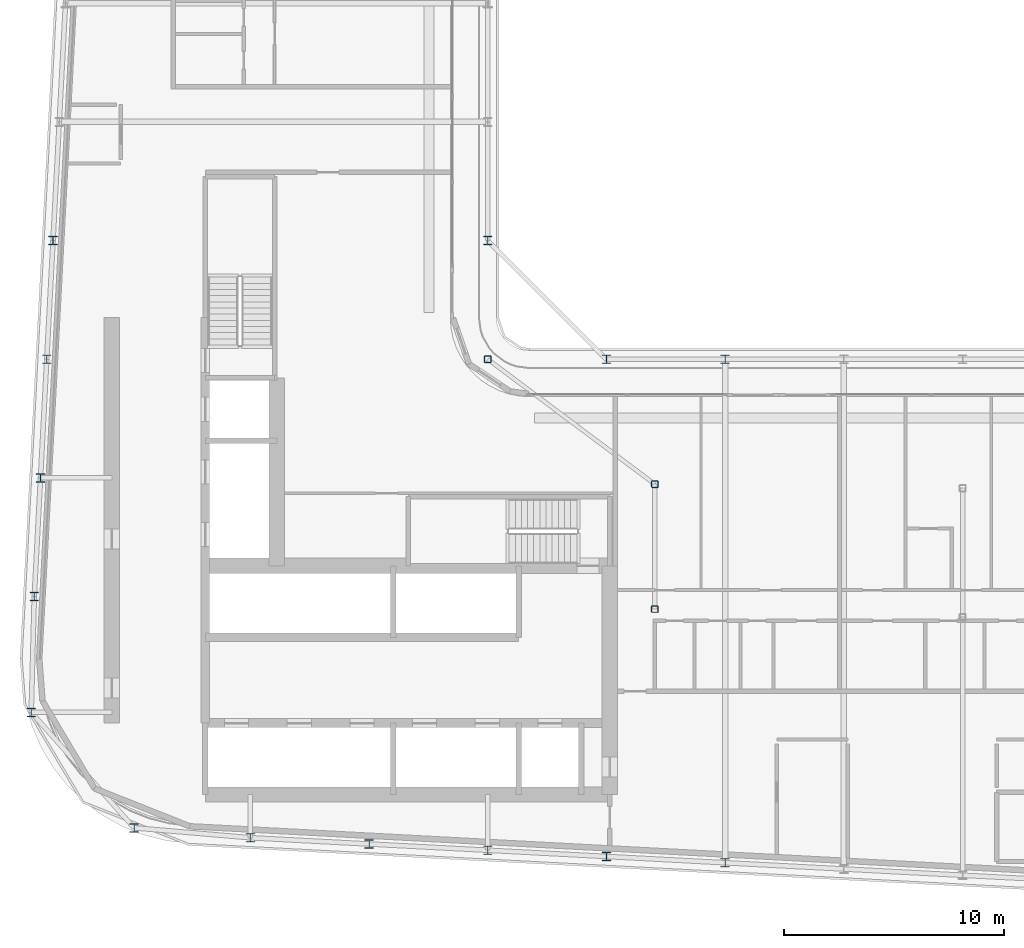
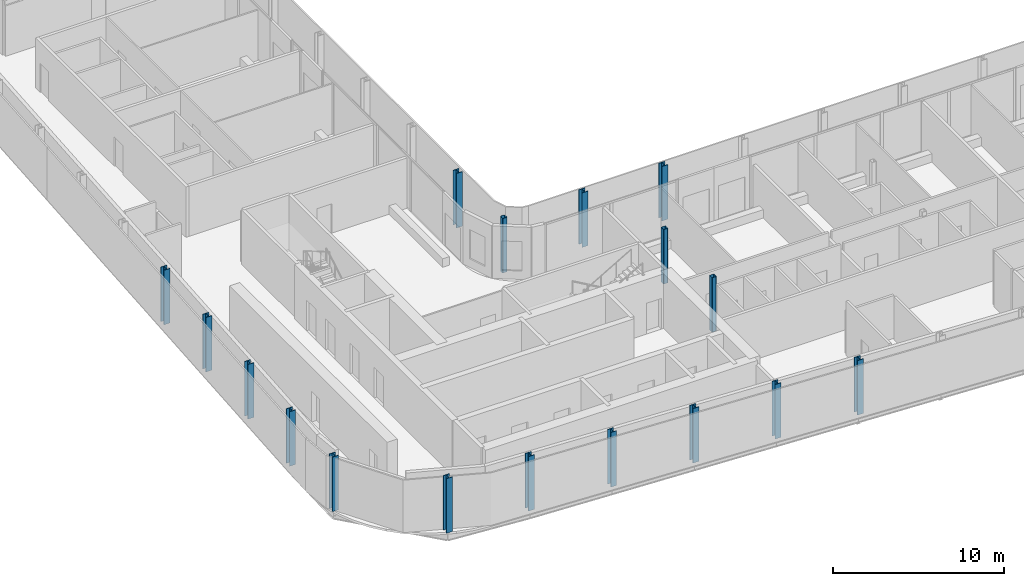
# One storey, part 1 of 22: 17 columns.
"""IFC4 building model written with IfcOpenShell, lengths in metres."""

from ifc_helpers import new_model, si_unit, direction, frame, origin, origin_2d, place, context, subcontext, project, spatial, hollow_rectangle, i_section, extrude, material, material_profile, profile_set, type_object, element, save


model = new_model("IFC4")

# Units and contexts
model_context = context("Model", 3, precision=1e-05, world=origin(), true_north=direction((0.0, 1.0)))
body_context = subcontext(model_context, "Body", "Model", "MODEL_VIEW")
ifc_project = project(units=[si_unit("LENGTHUNIT", "METRE"), si_unit("AREAUNIT", "SQUARE_METRE"), si_unit("VOLUMEUNIT", "CUBIC_METRE"), si_unit("PLANEANGLEUNIT", "RADIAN"), si_unit("MASSUNIT", "GRAM", prefix="KILO")], contexts=[model_context])

# Site, building, storey
site_placement = place(None, origin())
site = spatial("IfcSite", under=ifc_project, at=site_placement, CompositionType="ELEMENT")
building_placement = place(site_placement, origin())
building = spatial("IfcBuilding", under=site, at=building_placement, Name="Kheshtan School and Residences Tower", CompositionType="ELEMENT")
storey_placement = place(building_placement, frame((0.0, 0.0, 255.199951171875)))
storey = spatial("IfcBuildingStorey", under=building, at=storey_placement, Name="L60", CompositionType="ELEMENT", Elevation=255.199951171875)

# Columns
ifc_material_1 = material(Name="Steel ASTM A992 Grade 50", Category="steel")
ifc_material_profile_1 = material_profile(ifc_material_1, i_section(OverallWidth=0.404052734375, OverallDepth=0.406982421875, WebThickness=0.027099609375, FlangeThickness=0.043701171875, FilletRadius=0.01220703125, at=origin_2d()), Name="W360x347")
ifc_profile_set_1 = profile_set([ifc_material_profile_1], Name="Steel ASTM A992 Grade 50")
column_type_1 = type_object("IfcColumnType", Name="Column C4 W360x347 ASTM A992 Grade 50", PredefinedType="COLUMN", material=ifc_profile_set_1)
for number, where, z_axis, x_axis, name in (
    (1, (58.39990234375, 22.695068359375, 0.0), (0.0, 0.0, 1.0), (1.0, 0.0, 0.0), "Column C018"),
    (2, (53.0, 22.97998046875, 0.0), (0.0, 0.0, 1.0), (1.0, 0.0, 0.0), "Column C019"),
    (3, (47.60009765625, 23.263916015625, 0.0), (0.0, 0.0, 1.0), (1.0, 0.0, 0.0), "Column C020"),
    (4, (42.199951171875, 23.548095703125, 0.0), (0.0, 0.0, 1.0), (1.0, 0.0, 0.0), "Column C021"),
    (5, (36.800048828125, 23.83203125, 0.0), (0.0, 0.0, 1.0), (1.0, 0.0, 0.0), "Column C022"),
    (6, (31.510009765625, 24.282958984375, 0.0), (0.0, 0.0, 1.0), (1.0, 0.0, 0.0), "Column C030"),
    (7, (26.830078125, 29.5380859375, 0.0), (0.0, 0.0, 1.0), (1.0, 0.0, 0.0), "Column C043"),
    (8, (26.968994140625, 34.800048828125, 0.0), (0.0, 0.0, 1.0), (1.0, 0.0, 0.0), "Column C052"),
    (9, (27.2529296875, 40.199951171875, 0.0), (0.0, 0.0, 1.0), (1.0, 0.0, 0.0), "Column C056"),
    (10, (27.537109375, 45.60009765625, 0.0), (0.0, 0.0, 1.0), (1.0, 0.0, 0.0), "Column C059"),
    (11, (53.0, 45.60009765625, 0.0), (0.0, 0.0, 1.0), (1.0, 0.0, 0.0), "Column C061"),
    (12, (58.39990234375, 45.60009765625, 0.0), (0.0, 0.0, 1.0), (1.0, 0.0, 0.0), "Column C062"),
    (13, (27.822021484375, 51.0, 0.0), (0.0, 0.0, 1.0), (1.0, 0.0, 0.0), "Column C078"),
    (14, (47.60009765625, 51.0, 0.0), (0.0, 0.0, 1.0), (1.0, 0.0, 0.0), "Column C079"),
):
    element("IfcColumn", number, at=place(storey_placement, frame(where, z_axis=z_axis, x_axis=x_axis)), inside=storey, type_object=column_type_1, Name=name, PredefinedType="COLUMN", context=body_context, shape_type="SweptSolid", body=[
        extrude(i_section(OverallWidth=0.404052734375, OverallDepth=0.406982421875, WebThickness=0.027099609375, FlangeThickness=0.043701171875, FilletRadius=0.01220703125, at=origin_2d()), origin(), (0.0, 0.0, 1.0), 3.900146484375),
    ])
ifc_material_2 = material(Name="Steel ASTM A500 Grade C", Category="steel")
ifc_material_profile_2 = material_profile(ifc_material_2, hollow_rectangle(XDim=0.304931640625, YDim=0.304931640625, WallThickness=0.015869140625, InnerFilletRadius=0.015869140625, OuterFilletRadius=0.03173828125, at=origin_2d()), Name="HSS 305x305x15.9")
ifc_profile_set_2 = profile_set([ifc_material_profile_2], Name="Steel ASTM A500 Grade C")
column_type_2 = type_object("IfcColumnType", Name="Column IC2 HSS 305x305x15.9 ASTM A500 Grade C", PredefinedType="COLUMN", material=ifc_profile_set_2)
for number, where, z_axis, x_axis, name in (
    (15, (55.199951171875, 34.23193359375, 0.0), (0.0, 0.0, 1.0), (1.0, 0.0, 0.0), "Column C051"),
    (16, (55.199951171875, 39.916015625, 0.0), (0.0, 0.0, 1.0), (1.0, 0.0, 0.0), "Column C055"),
    (17, (47.60009765625, 45.60009765625, 0.0), (0.0, 0.0, 1.0), (1.0, 0.0, 0.0), "Column C060"),
):
    element("IfcColumn", number, at=place(storey_placement, frame(where, z_axis=z_axis, x_axis=x_axis)), inside=storey, type_object=column_type_2, Name=name, PredefinedType="COLUMN", context=body_context, shape_type="SweptSolid", body=[
        extrude(hollow_rectangle(XDim=0.304931640625, YDim=0.304931640625, WallThickness=0.015869140625, InnerFilletRadius=0.015869140625, OuterFilletRadius=0.03173828125, at=origin_2d()), origin(), (0.0, 0.0, 1.0), 3.900146484375),
    ])

save(model, "model.ifc")
